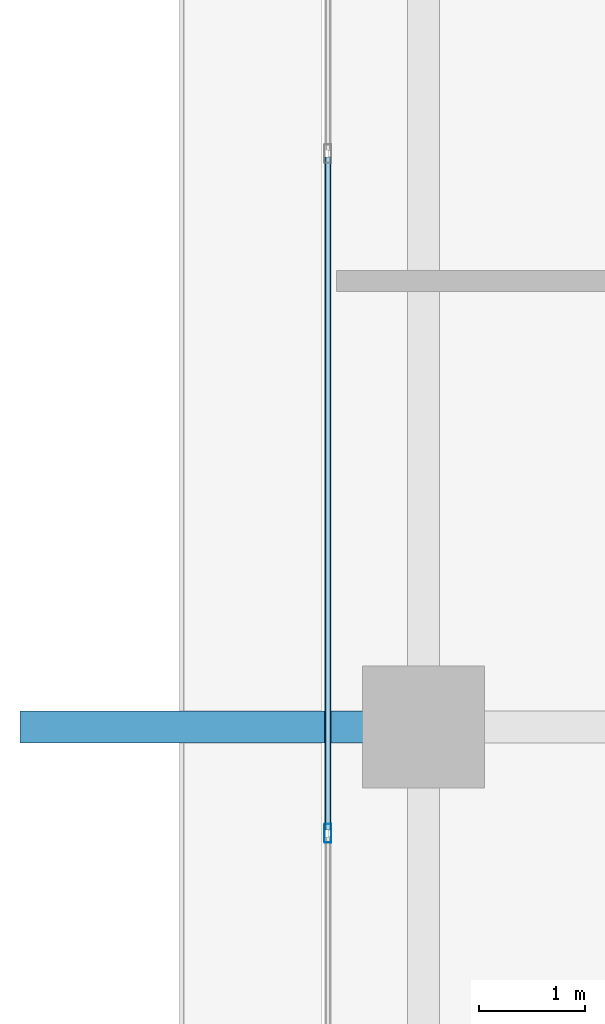
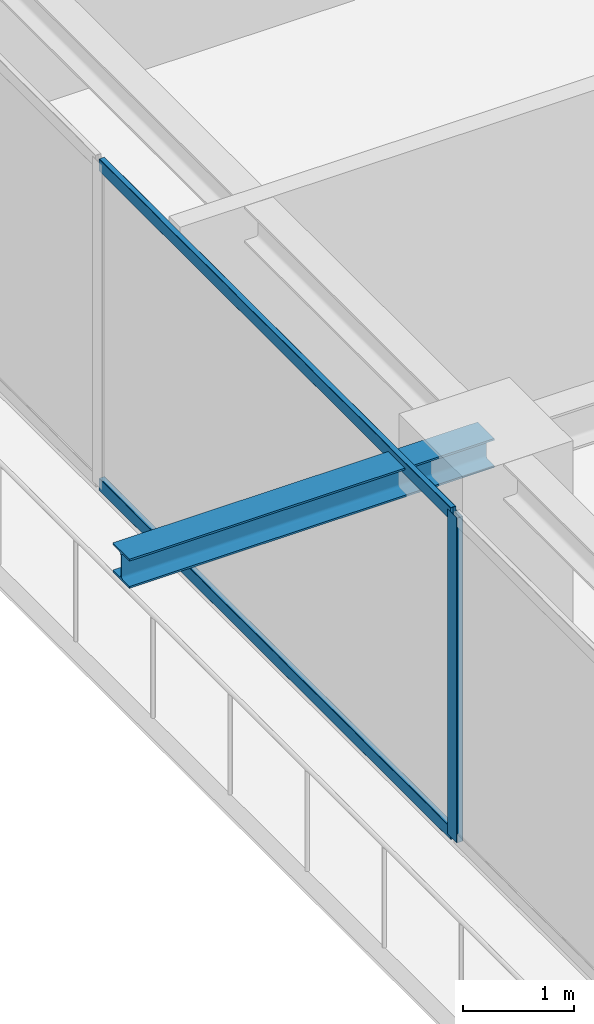
# One storey, part 9 of 37: 3 members, 1 beam, 1 element without a shape of its own.
"""IFC4 building model written with IfcOpenShell, lengths in metres."""

import ifcopenshell
import ifcopenshell.guid

model = None  # the IFC model being written
_history = None  # IfcOwnerHistory: only IFC2X3 demands one
_inside = {}  # id of a spatial element -> (the spatial element, [elements in it])
_under = {}  # id of a project, library or spatial element -> (it, [spatial elements below it])
_declared = {}  # id of a project -> (the project, [libraries it declares])
_typed = {}  # id of a type object -> (the type object, [elements of that type])
_made_of = {}  # id of a material, layer set ... -> (it, [elements and type objects made of it])


def new_model(schema):
    """Start an empty IFC model of exactly this schema.

    Asked for "IFC4X3", IfcOpenShell would pick the latest addendum, in which some entities
    have other attributes; the version numbers below select the first issue.
    IFC2X3 requires an IfcOwnerHistory on every rooted entity: one is made here for all.
    """
    global model, _history
    if schema == "IFC4X3":
        model = ifcopenshell.file(schema_version=(4, 3, 0, 0))
    else:
        model = ifcopenshell.file(schema=schema)
    _inside.clear()
    _under.clear()
    _declared.clear()
    _typed.clear()
    _made_of.clear()
    _history = None
    if model.schema == "IFC2X3":
        org = make("IfcOrganization", Name="unknown")
        user = make(
            "IfcPersonAndOrganization",
            ThePerson=make("IfcPerson", FamilyName="unknown"),
            TheOrganization=org,
        )
        app = make(
            "IfcApplication",
            ApplicationDeveloper=org,
            Version="unknown",
            ApplicationFullName="unknown",
            ApplicationIdentifier="unknown",
        )
        _history = make(
            "IfcOwnerHistory",
            OwningUser=user,
            OwningApplication=app,
            ChangeAction="ADDED",
            CreationDate=0,
        )
    return model


def make(cls, **values):
    """One entity of the class cls with the attributes given. An attribute that is None is left unset."""
    return model.create_entity(
        cls, **{name: value for name, value in values.items() if value is not None}
    )


def rooted(cls, **values):
    """An entity with a GlobalId (a new one), such as an element, a storey or a relation."""
    return make(cls, GlobalId=ifcopenshell.guid.new(), OwnerHistory=_history, **values)


def si_unit(unit_type, name, prefix=None):
    """IfcSIUnit, for example si_unit("LENGTHUNIT", "METRE", prefix="MILLI")."""
    return make("IfcSIUnit", UnitType=unit_type, Prefix=prefix, Name=name)


def assignment(units):
    """IfcUnitAssignment: the units of a project."""
    return None if units is None else make("IfcUnitAssignment", Units=units)


def point(xyz):
    """IfcCartesianPoint."""
    return None if xyz is None else make("IfcCartesianPoint", Coordinates=xyz)


def direction(xyz):
    """IfcDirection."""
    return None if xyz is None else make("IfcDirection", DirectionRatios=xyz)


def frame(location, z_axis=None, x_axis=None):
    """IfcAxis2Placement3D, a coordinate frame: its origin and axes. An axis left out is left unset."""
    return make(
        "IfcAxis2Placement3D",
        Location=point(location),
        Axis=direction(z_axis),
        RefDirection=direction(x_axis),
    )


def frame_2d(location, x_axis=None):
    """IfcAxis2Placement2D, a coordinate frame in the plane: its origin and x axis."""
    return make(
        "IfcAxis2Placement2D", Location=point(location), RefDirection=direction(x_axis)
    )


def origin():
    """The frame at (0, 0, 0) with its axes left unset."""
    return frame((0.0, 0.0, 0.0))


def origin_2d():
    """The frame at (0, 0) in the plane with its x axis left unset."""
    return frame_2d((0.0, 0.0))


def place(relative_to, where):
    """IfcLocalPlacement: puts the frame where relative to a parent placement (None: the world)."""
    return make(
        "IfcLocalPlacement", PlacementRelTo=relative_to, RelativePlacement=where
    )


def context(
    kind, dimensions, precision=None, world=None, true_north=None, identifier=None
):
    """IfcGeometricRepresentationContext, for example the 3D "Model" context."""
    return make(
        "IfcGeometricRepresentationContext",
        ContextIdentifier=identifier,
        ContextType=kind,
        CoordinateSpaceDimension=dimensions,
        Precision=precision,
        WorldCoordinateSystem=world,
        TrueNorth=true_north,
    )


def subcontext(parent, identifier, kind, view, scale=None):
    """IfcGeometricRepresentationSubContext, for example "Body" below "Model"."""
    return make(
        "IfcGeometricRepresentationSubContext",
        ContextIdentifier=identifier,
        ContextType=kind,
        ParentContext=parent,
        TargetScale=scale,
        TargetView=view,
    )


def project(units=None, contexts=None):
    """IfcProject with its units and contexts."""
    return rooted(
        "IfcProject",
        Name="project",
        RepresentationContexts=contexts,
        UnitsInContext=assignment(units),
    )


def spatial(cls, under=None, at=None, **own):
    """A site, building, storey or space (cls), placed at a placement, below another one or the project."""
    s = rooted(cls, ObjectPlacement=at, **own)
    if under is not None:
        _under.setdefault(under.id(), (under, []))[1].append(s)
    return s


def profile(cls, at=None, kind="AREA", **sizes):
    """A parametric profile (cls). Its sizes go by their IFC names, for example OverallWidth=200.0."""
    return make(cls, ProfileType=kind, Position=at, **sizes)


def hollow_rectangle(**sizes):
    """IfcRectangleHollowProfileDef."""
    return profile("IfcRectangleHollowProfileDef", **sizes)


def i_section(**sizes):
    """IfcIShapeProfileDef."""
    return profile("IfcIShapeProfileDef", **sizes)


def extrude(swept, where, along, depth):
    """IfcExtrudedAreaSolid: the profile swept, set in the frame where, extruded along a direction by depth."""
    return make(
        "IfcExtrudedAreaSolid",
        SweptArea=swept,
        Position=where,
        ExtrudedDirection=direction(along),
        Depth=depth,
    )


def shape(context_of_items, identifier, shape_type, items):
    """IfcShapeRepresentation: the items that make up one representation, for example the "Body"."""
    return make(
        "IfcShapeRepresentation",
        ContextOfItems=context_of_items,
        RepresentationIdentifier=identifier,
        RepresentationType=shape_type,
        Items=items,
    )


def source(mapping_origin, context_of_items, identifier, shape_type, items):
    """IfcRepresentationMap: a shape defined once, which mapped items show again and again."""
    return make(
        "IfcRepresentationMap",
        MappingOrigin=mapping_origin,
        MappedRepresentation=shape(context_of_items, identifier, shape_type, items),
    )


def transform(
    local_origin,
    x_axis=None,
    y_axis=None,
    z_axis=None,
    scale=None,
    scale2=None,
    scale3=None,
    uniform=True,
):
    """IfcCartesianTransformationOperator3D, or its non-uniform kind. x_axis, y_axis, z_axis: its Axis1, 2, 3."""
    if uniform:
        return make(
            "IfcCartesianTransformationOperator3D",
            Axis1=direction(x_axis),
            Axis2=direction(y_axis),
            LocalOrigin=point(local_origin),
            Scale=scale,
            Axis3=direction(z_axis),
        )
    return make(
        "IfcCartesianTransformationOperator3DnonUniform",
        Axis1=direction(x_axis),
        Axis2=direction(y_axis),
        LocalOrigin=point(local_origin),
        Scale=scale,
        Axis3=direction(z_axis),
        Scale2=scale2,
        Scale3=scale3,
    )


def mapped(mapping_source, mapping_target):
    """IfcMappedItem: shows the shape of a source again, moved by a transform."""
    return make(
        "IfcMappedItem", MappingSource=mapping_source, MappingTarget=mapping_target
    )


def material(Name=None, Category=None):
    """IfcMaterial."""
    return make("IfcMaterial", Name=Name, Category=Category)


def layer(
    of_material, thickness, ventilated=None, Name=None, Category=None, Priority=None
):
    """IfcMaterialLayer: one layer of a wall or slab, of a material (None: an air gap)."""
    return make(
        "IfcMaterialLayer",
        Material=of_material,
        LayerThickness=thickness,
        IsVentilated=ventilated,
        Name=Name,
        Category=Category,
        Priority=Priority,
    )


def layer_set(layers, Name=None):
    """IfcMaterialLayerSet."""
    return make("IfcMaterialLayerSet", MaterialLayers=layers, LayerSetName=Name)


def material_profile(
    of_material, cross_section, Name=None, Category=None, Priority=None
):
    """IfcMaterialProfile: a cross section and its material."""
    return make(
        "IfcMaterialProfile",
        Name=Name,
        Material=of_material,
        Profile=cross_section,
        Priority=Priority,
        Category=Category,
    )


def profile_set(profiles, Name=None, composite=None):
    """IfcMaterialProfileSet."""
    return make(
        "IfcMaterialProfileSet",
        Name=Name,
        MaterialProfiles=profiles,
        CompositeProfile=composite,
    )


def made_of(thing, what):
    """Note that an element or type object is made of a material, layer set ...; save() writes the relation."""
    if what is not None:
        _made_of.setdefault(what.id(), (what, []))[1].append(thing)
    return thing


def type_object(cls, material=None, **own):
    """A type object (cls), such as IfcWallType, which elements share."""
    return made_of(rooted(cls, **own), material)


def element(
    cls,
    number,
    at=None,
    inside=None,
    cuts=None,
    type_object=None,
    material=None,
    context=None,
    identifier="Body",
    shape_type=None,
    held_by="IfcProductDefinitionShape",
    body=None,
    shapes=None,
    **own,
):
    """One element of the class cls, such as IfcWall. Its Tag is "e" and its number.

    at: its placement. inside: the storey or other place that contains it. cuts: it is an
    opening in that element (IfcRelVoidsElement). A single representation is given by context,
    identifier, shape_type and body (its items); several are given by shapes. held_by: the class
    of the entity that holds the representations. save() writes the other relations.
    """
    e = rooted(cls, Tag="e%d" % number, ObjectPlacement=at, **own)
    if body is not None:
        shapes = [shape(context, identifier, shape_type, body)]
    if shapes is not None:
        e.Representation = make(held_by, Representations=shapes)
    if inside is not None:
        _inside.setdefault(inside.id(), (inside, []))[1].append(e)
    if cuts is not None:
        rooted(
            "IfcRelVoidsElement", RelatingBuildingElement=cuts, RelatedOpeningElement=e
        )
    if type_object is not None:
        _typed.setdefault(type_object.id(), (type_object, []))[1].append(e)
    return made_of(e, material)


def aggregate(whole, parts):
    """IfcRelAggregates: a whole, such as a stair, and the parts it consists of."""
    return rooted("IfcRelAggregates", RelatingObject=whole, RelatedObjects=parts)


def save(model, path):
    """Write the relations noted so far, then the file.

    IfcRelAggregates (storeys below a building ...), IfcRelContainedInSpatialStructure (elements
    in a storey), IfcRelDefinesByType, IfcRelAssociatesMaterial and IfcRelDeclares: one each for
    every whole, place, type object, material and project.
    """
    for whole, parts in _under.values():
        aggregate(whole, parts)
    for where, things in _inside.values():
        rooted(
            "IfcRelContainedInSpatialStructure",
            RelatedElements=things,
            RelatingStructure=where,
        )
    for kind, things in _typed.values():
        rooted("IfcRelDefinesByType", RelatedObjects=things, RelatingType=kind)
    for what, things in _made_of.values():
        rooted("IfcRelAssociatesMaterial", RelatedObjects=things, RelatingMaterial=what)
    for by, libraries in _declared.values():
        rooted("IfcRelDeclares", RelatingContext=by, RelatedDefinitions=libraries)
    model.write(path)


model = new_model("IFC4")

# Units and contexts
model_context = context("Model", 3, precision=1e-05, world=origin(), true_north=direction((0.0, 1.0)))
body_context = subcontext(model_context, "Body", "Model", "MODEL_VIEW")
ifc_project = project(units=[si_unit("LENGTHUNIT", "METRE"), si_unit("AREAUNIT", "SQUARE_METRE"), si_unit("VOLUMEUNIT", "CUBIC_METRE"), si_unit("PLANEANGLEUNIT", "RADIAN"), si_unit("MASSUNIT", "GRAM", prefix="KILO")], contexts=[model_context])

# Site, building, storey
site_placement = place(None, origin())
site = spatial("IfcSite", under=ifc_project, at=site_placement, CompositionType="ELEMENT")
building_placement = place(site_placement, origin())
building = spatial("IfcBuilding", under=site, at=building_placement, Name="Serunith Strait Residences", CompositionType="ELEMENT")
storey_placement = place(building_placement, frame((0.0, 0.0, 233.550048828125)))
storey = spatial("IfcBuildingStorey", under=building, at=storey_placement, Name="L58", CompositionType="ELEMENT", Elevation=233.550048828125)

# Beam
ifc_material_1 = material(Name="Steel S355J2", Category="steel")
ifc_material_profile_1 = material_profile(ifc_material_1, i_section(OverallWidth=0.300048828125, OverallDepth=0.320068359375, WebThickness=0.011474609375, FlangeThickness=0.0205078125, FilletRadius=0.027099609375, at=origin_2d()), Name="HEB 320")
ifc_profile_set_1 = profile_set([ifc_material_profile_1], Name="Steel S355J2")
beam_type = type_object("IfcBeamType", Name="BM-HEB320", PredefinedType="BEAM", material=ifc_profile_set_1)
shared_shape_1 = source(origin(), body_context, "Body", "SweptSolid", [
    extrude(i_section(OverallWidth=0.300048828125, OverallDepth=0.320068359375, WebThickness=0.011474609375, FlangeThickness=0.0205078125, FilletRadius=0.027099609375, at=origin_2d()), origin(), (0.0, 0.0, 1.0), 3.800048828125),
])
beam_placement = place(storey_placement, frame((8.300048828125, 29.39990234375, 3.39697265625), z_axis=(-1.0, 0.0, 0.0), x_axis=(0.0, -1.0, 0.0)))
element("IfcBeam", 1, at=beam_placement, inside=storey, type_object=beam_type, Name="L59 Cantilevered Balcony Rib TC-W3", PredefinedType="BEAM", context=body_context, shape_type="MappedRepresentation", body=[
    mapped(shared_shape_1, transform((0.0, 0.0, 0.0), scale=1.0)),
])

# Curtain wall, members
ifc_material_2 = material(Name="Pale-Champagne Anodised Aluminium", Category="aluminium")
ifc_layer = layer(ifc_material_2, 0.199951171875, Name="Pale-Champagne Anodised Aluminium")
ifc_layer_set = layer_set([ifc_layer], Name="Pale-Champagne Anodised Aluminium")
curtain_wall_type = type_object("IfcCurtainWallType", Name="CW-SYS4", PredefinedType="NOTDEFINED", material=ifc_layer_set)
curtain_wall_placement = place(storey_placement, origin())
curtain_wall = element("IfcCurtainWall", 2, at=curtain_wall_placement, inside=storey, type_object=curtain_wall_type, Name="L58 W Unitised Fritted Curtain Wall", PredefinedType="NOTDEFINED")
ifc_material_profile_2 = material_profile(ifc_material_2, hollow_rectangle(XDim=0.06494140625, YDim=0.179931640625, WallThickness=0.00341796875, InnerFilletRadius=0.00537109375, OuterFilletRadius=0.0087890625, at=origin_2d()), Name="ALU 180x65x3.5")
ifc_profile_set_2 = profile_set([ifc_material_profile_2], Name="Pale-Champagne Anodised Aluminium")
member_type_1 = type_object("IfcMemberType", Name="CW-SYS4-MULL", PredefinedType="MULLION", material=ifc_profile_set_2)
shared_shape_2 = source(origin(), body_context, "Body", "SweptSolid", [
    extrude(hollow_rectangle(XDim=0.06494140625, YDim=0.179931640625, WallThickness=0.00341796875, InnerFilletRadius=0.00537109375, OuterFilletRadius=0.0087890625, at=origin_2d()), origin(), (0.0, 0.0, 1.0), 3.574951171875),
])
member_1_placement = place(storey_placement, frame((7.39990234375, 28.39990234375, 0.0), z_axis=(0.0, 0.0, 1.0), x_axis=(1.0, 0.0, 0.0)))
member_1 = element("IfcMember", 3, at=member_1_placement, type_object=member_type_1, Name="CW-4 mullion 3", PredefinedType="MULLION", context=body_context, shape_type="MappedRepresentation", body=[
    mapped(shared_shape_2, transform((0.0, 0.0, 0.0), scale=1.0)),
])
ifc_material_profile_3 = material_profile(ifc_material_2, hollow_rectangle(XDim=0.06005859375, YDim=0.139892578125, WallThickness=0.00341796875, InnerFilletRadius=0.00537109375, OuterFilletRadius=0.0087890625, at=origin_2d()), Name="ALU 140x60x3.5")
ifc_profile_set_3 = profile_set([ifc_material_profile_3], Name="Pale-Champagne Anodised Aluminium")
member_type_2 = type_object("IfcMemberType", Name="CW-SYS4-TRAN", PredefinedType="USERDEFINED", material=ifc_profile_set_3)
shared_shape_3 = source(origin(), body_context, "Body", "SweptSolid", [
    extrude(hollow_rectangle(XDim=0.06005859375, YDim=0.139892578125, WallThickness=0.00341796875, InnerFilletRadius=0.00537109375, OuterFilletRadius=0.0087890625, at=origin_2d()), origin(), (0.0, 0.0, 1.0), 6.3349609375),
])
member_2_placement = place(storey_placement, frame((7.39990234375, 34.767578125, 0.030029296875), z_axis=(0.0, -1.0, 0.0), x_axis=(1.0, 0.0, 0.0)))
member_2 = element("IfcMember", 4, at=member_2_placement, type_object=member_type_2, Name="CW-4 transom 2.1", ObjectType="TRANSOM", PredefinedType="USERDEFINED", context=body_context, shape_type="MappedRepresentation", body=[
    mapped(shared_shape_3, transform((0.0, 0.0, 0.0), scale=1.0)),
])
member_3_placement = place(storey_placement, frame((7.39990234375, 34.767578125, 3.544921875), z_axis=(0.0, -1.0, 0.0), x_axis=(1.0, 0.0, 0.0)))
member_3 = element("IfcMember", 5, at=member_3_placement, type_object=member_type_2, Name="CW-4 transom 2.2", ObjectType="TRANSOM", PredefinedType="USERDEFINED", context=body_context, shape_type="MappedRepresentation", body=[
    mapped(shared_shape_3, transform((0.0, 0.0, 0.0), scale=1.0)),
])
aggregate(curtain_wall, [member_1, member_2, member_3])

save(model, "model.ifc")
